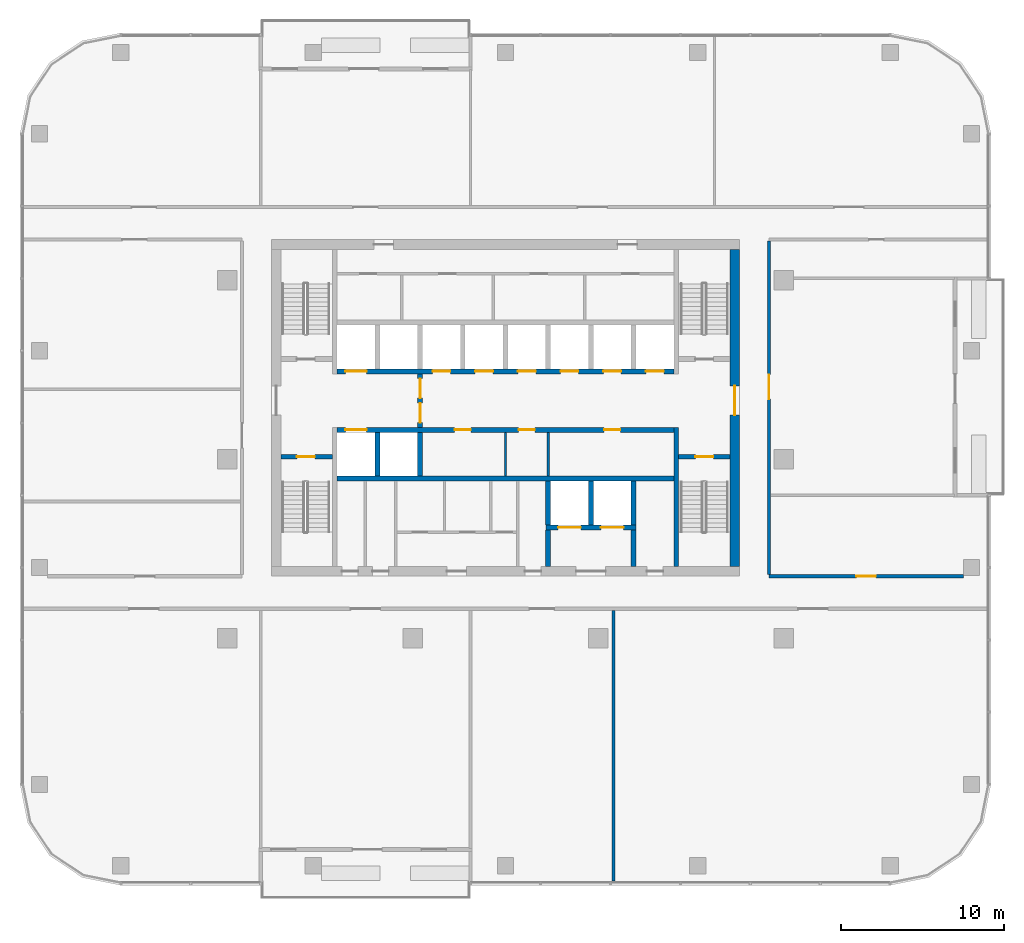
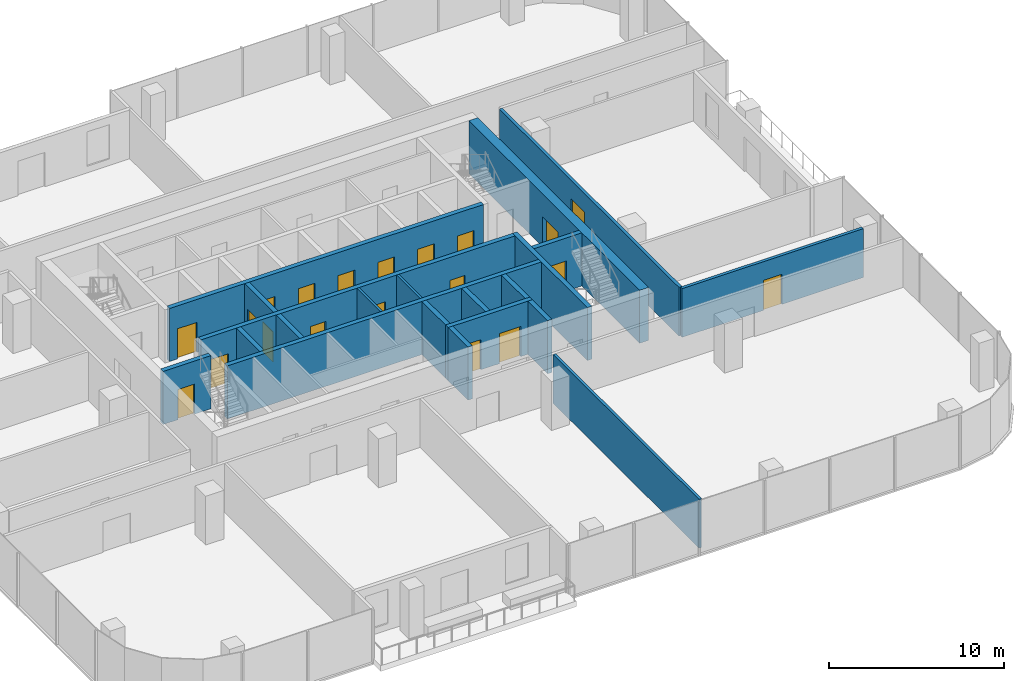
# One storey, part 8 of 13: 21 walls, 20 doors, 20 openings.
"""IFC4 building model written with IfcOpenShell, lengths in metres."""

from ifc_helpers import new_model, si_unit, direction, frame, frame_2d, origin, place, context, subcontext, project, spatial, rectangle, extrude, material, layer, layer_set, type_object, element, fill, save


model = new_model("IFC4")

# Units and contexts
model_context = context("Model", 3, precision=1e-05, world=origin(), true_north=direction((0.0, 1.0)))
body_context = subcontext(model_context, "Body", "Model", "MODEL_VIEW")
ifc_project = project(units=[si_unit("LENGTHUNIT", "METRE"), si_unit("AREAUNIT", "SQUARE_METRE"), si_unit("VOLUMEUNIT", "CUBIC_METRE"), si_unit("PLANEANGLEUNIT", "RADIAN"), si_unit("MASSUNIT", "GRAM", prefix="KILO")], contexts=[model_context])

# Site, building, storey
site_placement = place(None, origin())
site = spatial("IfcSite", under=ifc_project, at=site_placement, CompositionType="ELEMENT")
building_placement = place(site_placement, origin())
building = spatial("IfcBuilding", under=site, at=building_placement, Name="Mopane Tessera Tower", CompositionType="ELEMENT")
storey_placement = place(building_placement, frame((0.0, 0.0, 311.39990234375)))
storey = spatial("IfcBuildingStorey", under=building, at=storey_placement, Name="L68", CompositionType="ELEMENT", Elevation=311.39990234375)

# Walls
ifc_material_1 = material(Name="Fire-rated gypsum board partition")
ifc_layer_1 = layer(ifc_material_1, 0.14990234375)
ifc_layer_set_1 = layer_set([ifc_layer_1], Name="Fire-rated gypsum board partition")
wall_type_1 = type_object("IfcWallType", Name="Core room partition 150 mm", PredefinedType="PARTITIONING", material=ifc_layer_set_1)
for number, where, z_axis, x_axis, name in (
    (1, (0.0, -1.050048828125, 0.0), (0.0, 0.0, 1.0), (0.0, 1.0, 0.0), "L68 Room partition"),
    (2, (2.625, -1.050048828125, 0.0), (0.0, 0.0, 1.0), (0.0, 1.0, 0.0), "L68 Room partition"),
):
    element("IfcWall", number, at=place(storey_placement, frame(where, z_axis=z_axis, x_axis=x_axis)), inside=storey, type_object=wall_type_1, Name=name, PredefinedType="PARTITIONING", context=body_context, shape_type="SweptSolid", body=[
        extrude(rectangle(XDim=2.699951171875, YDim=0.14990234375, at=frame_2d((1.35009765625, 0.0))), origin(), (0.0, 0.0, 1.0), 3.7001953125),
    ])

# Wall, opening, door
ifc_material_2 = material(Name="Concrete C70/85", Category="concrete")
ifc_layer_2 = layer(ifc_material_2, 0.60009765625)
ifc_layer_set_2 = layer_set([ifc_layer_2], Name="Concrete C70/85")
wall_type_2 = type_object("IfcWallType", Name="Core shear wall 600 mm", PredefinedType="SHEAR", material=ifc_layer_set_2)
wall_1_placement = place(storey_placement, frame((14.10009765625, -6.60009765625, 0.0), z_axis=(0.0, 0.0, 1.0), x_axis=(0.0, 1.0, 0.0)))
wall_1 = element("IfcWall", 3, at=wall_1_placement, inside=storey, type_object=wall_type_2, Name="L68 Core wall east", PredefinedType="SHEAR", context=body_context, shape_type="SweptSolid", body=[
    extrude(rectangle(XDim=19.5, YDim=0.60009765625, at=frame_2d((9.75, 0.0))), origin(), (0.0, 0.0, 1.0), 3.7001953125),
])
opening_1_placement = place(wall_1_placement, frame((9.300048828125, 0.0, 0.0)))
opening_1 = element("IfcOpeningElement", 4, at=opening_1_placement, cuts=wall_1, Name="Opening SD2", PredefinedType="OPENING", context=body_context, shape_type="SweptSolid", body=[
    extrude(rectangle(XDim=1.800048828125, YDim=2.10009765625, at=frame_2d((0.89990234375, 1.050048828125))), frame((0.0, 0.31201171875, 0.0), z_axis=(0.0, -1.0, 0.0), x_axis=(1.0, 0.0, 0.0)), (0.0, 0.0, 1.0), 0.6240234375),
])
ifc_material_3 = material(Name="Steel fire door", Category="steel")
door_type_1 = type_object("IfcDoorType", Name="Core entrance double door 1800 x 2100", OperationType="DOUBLE_DOOR_SINGLE_SWING", PredefinedType="DOOR", material=ifc_material_3)
door_1_placement = place(opening_1_placement, origin())
door_1 = element("IfcDoor", 5, at=door_1_placement, inside=storey, type_object=door_type_1, Name="L68 Core entrance door east", OperationType="DOUBLE_DOOR_SINGLE_SWING", OverallHeight=2.10009765625, OverallWidth=1.800048828125, PredefinedType="DOOR", context=body_context, shape_type="SweptSolid", body=[
    extrude(rectangle(XDim=1.800048828125, YDim=2.10009765625, at=frame_2d((0.89990234375, 1.050048828125))), frame((0.0, 0.02490234375, 0.0), z_axis=(0.0, -1.0, 0.0), x_axis=(1.0, 0.0, 0.0)), (0.0, 0.0, 1.0), 0.050048828125),
])
fill(opening_1, door_1)

# Walls
ifc_material_4 = material(Name="Concrete C60/75", Category="concrete")
ifc_layer_3 = layer(ifc_material_4, 0.300048828125)
ifc_layer_set_3 = layer_set([ifc_layer_3], Name="Concrete C60/75")
wall_type_3 = type_object("IfcWallType", Name="Core spine wall 300 mm", PredefinedType="SHEAR", material=ifc_layer_set_3)
wall_2_placement = place(storey_placement, frame((10.5, -6.60009765625, 0.0), z_axis=(0.0, 0.0, 1.0), x_axis=(0.0, 1.0, 0.0)))
element("IfcWall", 6, at=wall_2_placement, inside=storey, type_object=wall_type_3, Name="L68 Core spine wall", PredefinedType="SHEAR", context=body_context, shape_type="SweptSolid", body=[
    extrude(rectangle(XDim=8.550048828125, YDim=0.300048828125, at=frame_2d((4.27490234375, 0.0))), origin(), (0.0, 0.0, 1.0), 3.7001953125),
])
ifc_material_5 = material(Name="Gypsum board on staggered steel studs, double layer each face, acoustic mineral wool infill", Category="steel")
ifc_layer_4 = layer(ifc_material_5, 0.175048828125)
ifc_layer_set_4 = layer_set([ifc_layer_4], Name="Gypsum board on staggered steel studs, double layer each face, acoustic mineral wool infill")
wall_type_4 = type_object("IfcWallType", Name="Gypsum board acoustic partition 175, rated EI 60", PredefinedType="PARTITIONING", material=ifc_layer_set_4)
wall_3_placement = place(storey_placement, frame((6.6298828125, -25.949951171875, 0.0), z_axis=(0.0, 0.0, 1.0), x_axis=(0.0, 1.0, 0.0)))
element("IfcWall", 7, at=wall_3_placement, inside=storey, type_object=wall_type_4, Name="Partition L68:015", PredefinedType="PARTITIONING", context=body_context, shape_type="SweptSolid", body=[
    extrude(rectangle(XDim=16.64990234375, YDim=0.175048828125, at=frame_2d((8.324951171875, 0.0))), origin(), (0.0, 0.0, 1.0), 3.400146484375),
])

# Wall, opening, door
ifc_material_6 = material(Name="Gypsum board on steel studs, two layers each face, mineral wool infill", Category="steel")
ifc_layer_5 = layer(ifc_material_6, 0.199951171875)
ifc_layer_set_5 = layer_set([ifc_layer_5], Name="Gypsum board on steel studs, two layers each face, mineral wool infill")
wall_type_5 = type_object("IfcWallType", Name="Gypsum board corridor wall 200, rated EI 60", PredefinedType="PARTITIONING", material=ifc_layer_set_5)
wall_4_placement = place(storey_placement, frame((16.199951171875, -7.199951171875, 0.0), z_axis=(0.0, 0.0, 1.0), x_axis=(1.0, 0.0, 0.0)))
wall_4 = element("IfcWall", 8, at=wall_4_placement, inside=storey, type_object=wall_type_5, Name="Partition L68:002", PredefinedType="PARTITIONING", context=body_context, shape_type="SweptSolid", body=[
    extrude(rectangle(XDim=11.949951171875, YDim=0.199951171875, at=frame_2d((5.97509765625, 0.0))), origin(), (0.0, 0.0, 1.0), 3.400146484375),
])
opening_2_placement = place(wall_4_placement, frame((5.375, 0.0, 0.0)))
opening_2 = element("IfcOpeningElement", 9, at=opening_2_placement, cuts=wall_4, Name="Opening L68-14", PredefinedType="OPENING", context=body_context, shape_type="SweptSolid", body=[
    extrude(rectangle(XDim=1.199951171875, YDim=2.10009765625, at=frame_2d((0.60009765625, 1.050048828125))), frame((0.0, 0.112060546875, 0.0), z_axis=(0.0, -1.0, 0.0), x_axis=(1.0, 0.0, 0.0)), (0.0, 0.0, 1.0), 0.223876953125),
])
ifc_material_7 = material(Name="Timber veneered steel-framed fire door", Category="steel")
door_type_2 = type_object("IfcDoorType", Name="Fire door FD60 1200 x 2100", OperationType="SINGLE_SWING_LEFT", PredefinedType="DOOR", material=ifc_material_7)
door_2_placement = place(opening_2_placement, origin())
door_2 = element("IfcDoor", 10, at=door_2_placement, inside=storey, type_object=door_type_2, Name="Door L68-14", ObjectType="D15A", OperationType="SINGLE_SWING_LEFT", OverallHeight=2.10009765625, OverallWidth=1.199951171875, PredefinedType="DOOR", context=body_context, shape_type="SweptSolid", body=[
    extrude(rectangle(XDim=1.199951171875, YDim=2.10009765625, at=frame_2d((0.60009765625, 1.050048828125))), frame((0.0, 0.02490234375, 0.0), z_axis=(0.0, -1.0, 0.0), x_axis=(1.0, 0.0, 0.0)), (0.0, 0.0, 1.0), 0.050048828125),
])
fill(opening_2, door_2)

wall_5_placement = place(storey_placement, frame((16.199951171875, -7.10009765625, 0.0), z_axis=(0.0, 0.0, 1.0), x_axis=(0.0, 1.0, 0.0)))
wall_5 = element("IfcWall", 11, at=wall_5_placement, inside=storey, type_object=wall_type_5, Name="Partition L68:017", PredefinedType="PARTITIONING", context=body_context, shape_type="SweptSolid", body=[
    extrude(rectangle(XDim=20.5, YDim=0.199951171875, at=frame_2d((10.25, 0.0))), origin(), (0.0, 0.0, 1.0), 3.400146484375),
])
opening_3_placement = place(wall_5_placement, frame((10.794921875, 0.0, 0.0)))
opening_3 = element("IfcOpeningElement", 12, at=opening_3_placement, cuts=wall_5, Name="Opening L68-05", PredefinedType="OPENING", context=body_context, shape_type="SweptSolid", body=[
    extrude(rectangle(XDim=1.5, YDim=2.10009765625, at=frame_2d((0.75, 1.050048828125))), frame((0.0, 0.112060546875, 0.0), z_axis=(0.0, -1.0, 0.0), x_axis=(1.0, 0.0, 0.0)), (0.0, 0.0, 1.0), 0.223876953125),
])
ifc_material_8 = material(Name="Timber veneered steel-framed fire door", Category="steel")
door_type_3 = type_object("IfcDoorType", Name="Fire door pair FD60 1500 x 2100", OperationType="DOUBLE_DOOR_SINGLE_SWING", PredefinedType="DOOR", material=ifc_material_8)
door_3_placement = place(opening_3_placement, origin())
door_3 = element("IfcDoor", 13, at=door_3_placement, inside=storey, type_object=door_type_3, Name="Door L68-05", ObjectType="D17A", OperationType="DOUBLE_DOOR_SINGLE_SWING", OverallHeight=2.10009765625, OverallWidth=1.5, PredefinedType="DOOR", context=body_context, shape_type="SweptSolid", body=[
    extrude(rectangle(XDim=1.5, YDim=2.10009765625, at=frame_2d((0.75, 1.050048828125))), frame((0.0, 0.02490234375, 0.0), z_axis=(0.0, -1.0, 0.0), x_axis=(1.0, 0.0, 0.0)), (0.0, 0.0, 1.0), 0.050048828125),
])
fill(opening_3, door_3)

ifc_material_9 = material(Name="Concrete C50/60", Category="concrete")
ifc_layer_6 = layer(ifc_material_9, 0.300048828125)
ifc_layer_set_6 = layer_set([ifc_layer_6], Name="Concrete C50/60")
wall_type_6 = type_object("IfcWallType", Name="Lift and stair shaft wall 300 mm", PredefinedType="SOLIDWALL", material=ifc_layer_set_6)
wall_6_placement = place(storey_placement, frame((-13.800048828125, 0.14990234375, 0.0), z_axis=(0.0, 0.0, 1.0), x_axis=(1.0, 0.0, 0.0)))
wall_6 = element("IfcWall", 14, at=wall_6_placement, inside=storey, type_object=wall_type_6, Name="L68 Stair enclosure wall", PredefinedType="SOLIDWALL", context=body_context, shape_type="SweptSolid", body=[
    extrude(rectangle(XDim=3.150146484375, YDim=0.300048828125, at=frame_2d((1.5751953125, 0.0))), origin(), (0.0, 0.0, 1.0), 3.7001953125),
])
opening_4_placement = place(wall_6_placement, frame((0.97509765625, 0.0, 0.0)))
opening_4 = element("IfcOpeningElement", 15, at=opening_4_placement, cuts=wall_6, Name="Opening SD1", PredefinedType="OPENING", context=body_context, shape_type="SweptSolid", body=[
    extrude(rectangle(XDim=1.10009765625, YDim=2.10009765625, at=frame_2d((0.550048828125, 1.050048828125))), frame((0.0, 0.162109375, 0.0), z_axis=(0.0, -1.0, 0.0), x_axis=(1.0, 0.0, 0.0)), (0.0, 0.0, 1.0), 0.323974609375),
])
ifc_material_10 = material(Name="Steel fire door", Category="steel")
door_type_4 = type_object("IfcDoorType", Name="Stair fire door 1100 x 2100", OperationType="SINGLE_SWING_LEFT", PredefinedType="DOOR", material=ifc_material_10)
door_4_placement = place(opening_4_placement, origin())
door_4 = element("IfcDoor", 16, at=door_4_placement, inside=storey, type_object=door_type_4, Name="L68 Stair door ST1", OperationType="SINGLE_SWING_LEFT", OverallHeight=2.10009765625, OverallWidth=1.10009765625, PredefinedType="DOOR", context=body_context, shape_type="SweptSolid", body=[
    extrude(rectangle(XDim=1.10009765625, YDim=2.10009765625, at=frame_2d((0.550048828125, 1.050048828125))), frame((0.0, 0.02490234375, 0.0), z_axis=(0.0, -1.0, 0.0), x_axis=(1.0, 0.0, 0.0)), (0.0, 0.0, 1.0), 0.050048828125),
])
fill(opening_4, door_4)

wall_7_placement = place(storey_placement, frame((10.64990234375, 0.14990234375, 0.0), z_axis=(0.0, 0.0, 1.0), x_axis=(1.0, 0.0, 0.0)))
wall_7 = element("IfcWall", 17, at=wall_7_placement, inside=storey, type_object=wall_type_6, Name="L68 Stair enclosure wall", PredefinedType="SOLIDWALL", context=body_context, shape_type="SweptSolid", body=[
    extrude(rectangle(XDim=3.150146484375, YDim=0.300048828125, at=frame_2d((1.5751953125, 0.0))), origin(), (0.0, 0.0, 1.0), 3.7001953125),
])
opening_5_placement = place(wall_7_placement, frame((1.02490234375, 0.0, 0.0)))
opening_5 = element("IfcOpeningElement", 18, at=opening_5_placement, cuts=wall_7, Name="Opening SD1", PredefinedType="OPENING", context=body_context, shape_type="SweptSolid", body=[
    extrude(rectangle(XDim=1.10009765625, YDim=2.10009765625, at=frame_2d((0.550048828125, 1.050048828125))), frame((0.0, 0.162109375, 0.0), z_axis=(0.0, -1.0, 0.0), x_axis=(1.0, 0.0, 0.0)), (0.0, 0.0, 1.0), 0.323974609375),
])
door_5_placement = place(opening_5_placement, origin())
door_5 = element("IfcDoor", 19, at=door_5_placement, inside=storey, type_object=door_type_4, Name="L68 Stair door ST3", OperationType="SINGLE_SWING_RIGHT", OverallHeight=2.10009765625, OverallWidth=1.10009765625, PredefinedType="DOOR", context=body_context, shape_type="SweptSolid", body=[
    extrude(rectangle(XDim=1.10009765625, YDim=2.10009765625, at=frame_2d((0.550048828125, 1.050048828125))), frame((0.0, 0.02490234375, 0.0), z_axis=(0.0, -1.0, 0.0), x_axis=(1.0, 0.0, 0.0)), (0.0, 0.0, 1.0), 0.050048828125),
])
fill(opening_5, door_5)

# Wall
wall_8_placement = place(storey_placement, frame((-10.35009765625, -1.199951171875, 0.0), z_axis=(0.0, 0.0, 1.0), x_axis=(1.0, 0.0, 0.0)))
element("IfcWall", 20, at=wall_8_placement, inside=storey, type_object=wall_type_6, Name="L68 Lift shaft rear wall", PredefinedType="SOLIDWALL", context=body_context, shape_type="SweptSolid", body=[
    extrude(rectangle(XDim=20.7001953125, YDim=0.300048828125, at=frame_2d((10.35009765625, 0.0))), origin(), (0.0, 0.0, 1.0), 3.7001953125),
])

# Wall, openings, doors
wall_9_placement = place(storey_placement, frame((-10.35009765625, 1.800048828125, 0.0), z_axis=(0.0, 0.0, 1.0), x_axis=(1.0, 0.0, 0.0)))
wall_9 = element("IfcWall", 21, at=wall_9_placement, inside=storey, type_object=wall_type_6, Name="L68 Lift shaft front wall", PredefinedType="SOLIDWALL", context=body_context, shape_type="SweptSolid", body=[
    extrude(rectangle(XDim=20.7001953125, YDim=0.300048828125, at=frame_2d((10.35009765625, 0.0))), origin(), (0.0, 0.0, 1.0), 3.7001953125),
])
opening_6_placement = place(wall_9_placement, frame((0.512451171875, 0.0, 0.0)))
opening_6 = element("IfcOpeningElement", 22, at=opening_6_placement, cuts=wall_9, Name="Opening LD2", PredefinedType="OPENING", context=body_context, shape_type="SweptSolid", body=[
    extrude(rectangle(XDim=1.300048828125, YDim=2.10009765625, at=frame_2d((0.64990234375, 1.050048828125))), frame((0.0, 0.162109375, 0.0), z_axis=(0.0, -1.0, 0.0), x_axis=(1.0, 0.0, 0.0)), (0.0, 0.0, 1.0), 0.323974609375),
])
opening_7_placement = place(wall_9_placement, frame((7.22509765625, 0.0, 0.0)))
opening_7 = element("IfcOpeningElement", 23, at=opening_7_placement, cuts=wall_9, Name="Opening RD1", PredefinedType="OPENING", context=body_context, shape_type="SweptSolid", body=[
    extrude(rectangle(XDim=1.0, YDim=2.10009765625, at=frame_2d((0.5, 1.050048828125))), frame((0.0, 0.162109375, 0.0), z_axis=(0.0, -1.0, 0.0), x_axis=(1.0, 0.0, 0.0)), (0.0, 0.0, 1.0), 0.323974609375),
])
opening_8_placement = place(wall_9_placement, frame((11.16259765625, 0.0, 0.0)))
opening_8 = element("IfcOpeningElement", 24, at=opening_8_placement, cuts=wall_9, Name="Opening RD1", PredefinedType="OPENING", context=body_context, shape_type="SweptSolid", body=[
    extrude(rectangle(XDim=1.0, YDim=2.10009765625, at=frame_2d((0.5, 1.050048828125))), frame((0.0, 0.162109375, 0.0), z_axis=(0.0, -1.0, 0.0), x_axis=(1.0, 0.0, 0.0)), (0.0, 0.0, 1.0), 0.323974609375),
])
opening_9_placement = place(wall_9_placement, frame((16.41259765625, 0.0, 0.0)))
opening_9 = element("IfcOpeningElement", 25, at=opening_9_placement, cuts=wall_9, Name="Opening RD1", PredefinedType="OPENING", context=body_context, shape_type="SweptSolid", body=[
    extrude(rectangle(XDim=1.0, YDim=2.10009765625, at=frame_2d((0.5, 1.050048828125))), frame((0.0, 0.162109375, 0.0), z_axis=(0.0, -1.0, 0.0), x_axis=(1.0, 0.0, 0.0)), (0.0, 0.0, 1.0), 0.323974609375),
])
ifc_material_11 = material(Name="Timber door", Category="wood")
door_type_5 = type_object("IfcDoorType", Name="Core room door 1000 x 2100", OperationType="SINGLE_SWING_LEFT", PredefinedType="DOOR", material=ifc_material_11)
door_6_placement = place(opening_7_placement, origin())
door_6 = element("IfcDoor", 26, at=door_6_placement, inside=storey, type_object=door_type_5, Name="L68 Room door", OperationType="SINGLE_SWING_LEFT", OverallHeight=2.10009765625, OverallWidth=1.0, PredefinedType="DOOR", context=body_context, shape_type="SweptSolid", body=[
    extrude(rectangle(XDim=1.0, YDim=2.10009765625, at=frame_2d((0.5, 1.050048828125))), frame((0.0, 0.02490234375, 0.0), z_axis=(0.0, -1.0, 0.0), x_axis=(1.0, 0.0, 0.0)), (0.0, 0.0, 1.0), 0.050048828125),
])
fill(opening_7, door_6)
door_7_placement = place(opening_8_placement, origin())
door_7 = element("IfcDoor", 27, at=door_7_placement, inside=storey, type_object=door_type_5, Name="L68 Room door", OperationType="SINGLE_SWING_LEFT", OverallHeight=2.10009765625, OverallWidth=1.0, PredefinedType="DOOR", context=body_context, shape_type="SweptSolid", body=[
    extrude(rectangle(XDim=1.0, YDim=2.10009765625, at=frame_2d((0.5, 1.050048828125))), frame((0.0, 0.02490234375, 0.0), z_axis=(0.0, -1.0, 0.0), x_axis=(1.0, 0.0, 0.0)), (0.0, 0.0, 1.0), 0.050048828125),
])
fill(opening_8, door_7)
door_8_placement = place(opening_9_placement, origin())
door_8 = element("IfcDoor", 28, at=door_8_placement, inside=storey, type_object=door_type_5, Name="L68 Room door", OperationType="SINGLE_SWING_LEFT", OverallHeight=2.10009765625, OverallWidth=1.0, PredefinedType="DOOR", context=body_context, shape_type="SweptSolid", body=[
    extrude(rectangle(XDim=1.0, YDim=2.10009765625, at=frame_2d((0.5, 1.050048828125))), frame((0.0, 0.02490234375, 0.0), z_axis=(0.0, -1.0, 0.0), x_axis=(1.0, 0.0, 0.0)), (0.0, 0.0, 1.0), 0.050048828125),
])
fill(opening_9, door_8)
ifc_material_12 = material(Name="Stainless steel sliding door", Category="steel")
door_type_6 = type_object("IfcDoorType", Name="Fire-fighting lift landing door 1300 x 2100", OperationType="DOUBLE_DOOR_SLIDING", PredefinedType="DOOR", material=ifc_material_12)
door_9_placement = place(opening_6_placement, origin())
door_9 = element("IfcDoor", 29, at=door_9_placement, inside=storey, type_object=door_type_6, Name="L68 Lift landing door FF1", OperationType="DOUBLE_DOOR_SLIDING", OverallHeight=2.10009765625, OverallWidth=1.300048828125, PredefinedType="DOOR", context=body_context, shape_type="SweptSolid", body=[
    extrude(rectangle(XDim=1.300048828125, YDim=2.10009765625, at=frame_2d((0.64990234375, 1.050048828125))), frame((0.0, 0.02490234375, 0.0), z_axis=(0.0, -1.0, 0.0), x_axis=(1.0, 0.0, 0.0)), (0.0, 0.0, 1.0), 0.050048828125),
])
fill(opening_6, door_9)

wall_10_placement = place(storey_placement, frame((-10.35009765625, 5.39990234375, 0.0), z_axis=(0.0, 0.0, 1.0), x_axis=(1.0, 0.0, 0.0)))
wall_10 = element("IfcWall", 30, at=wall_10_placement, inside=storey, type_object=wall_type_6, Name="L68 Lift shaft front wall", PredefinedType="SOLIDWALL", context=body_context, shape_type="SweptSolid", body=[
    extrude(rectangle(XDim=20.7001953125, YDim=0.300048828125, at=frame_2d((10.35009765625, 0.0))), origin(), (0.0, 0.0, 1.0), 3.7001953125),
])
opening_10_placement = place(wall_10_placement, frame((0.512451171875, 0.0, 0.0)))
opening_10 = element("IfcOpeningElement", 31, at=opening_10_placement, cuts=wall_10, Name="Opening LD2", PredefinedType="OPENING", context=body_context, shape_type="SweptSolid", body=[
    extrude(rectangle(XDim=1.300048828125, YDim=2.10009765625, at=frame_2d((0.64990234375, 1.050048828125))), frame((0.0, 0.162109375, 0.0), z_axis=(0.0, -1.0, 0.0), x_axis=(1.0, 0.0, 0.0)), (0.0, 0.0, 1.0), 0.323974609375),
])
opening_11_placement = place(wall_10_placement, frame((5.862548828125, 0.0, 0.0)))
opening_11 = element("IfcOpeningElement", 32, at=opening_11_placement, cuts=wall_10, Name="Opening LD", PredefinedType="OPENING", context=body_context, shape_type="SweptSolid", body=[
    extrude(rectangle(XDim=1.10009765625, YDim=2.10009765625, at=frame_2d((0.550048828125, 1.050048828125))), frame((0.0, 0.162109375, 0.0), z_axis=(0.0, -1.0, 0.0), x_axis=(1.0, 0.0, 0.0)), (0.0, 0.0, 1.0), 0.323974609375),
])
opening_12_placement = place(wall_10_placement, frame((8.487548828125, 0.0, 0.0)))
opening_12 = element("IfcOpeningElement", 33, at=opening_12_placement, cuts=wall_10, Name="Opening LD", PredefinedType="OPENING", context=body_context, shape_type="SweptSolid", body=[
    extrude(rectangle(XDim=1.10009765625, YDim=2.10009765625, at=frame_2d((0.550048828125, 1.050048828125))), frame((0.0, 0.162109375, 0.0), z_axis=(0.0, -1.0, 0.0), x_axis=(1.0, 0.0, 0.0)), (0.0, 0.0, 1.0), 0.323974609375),
])
opening_13_placement = place(wall_10_placement, frame((11.112548828125, 0.0, 0.0)))
opening_13 = element("IfcOpeningElement", 34, at=opening_13_placement, cuts=wall_10, Name="Opening LD", PredefinedType="OPENING", context=body_context, shape_type="SweptSolid", body=[
    extrude(rectangle(XDim=1.10009765625, YDim=2.10009765625, at=frame_2d((0.550048828125, 1.050048828125))), frame((0.0, 0.162109375, 0.0), z_axis=(0.0, -1.0, 0.0), x_axis=(1.0, 0.0, 0.0)), (0.0, 0.0, 1.0), 0.323974609375),
])
opening_14_placement = place(wall_10_placement, frame((13.737548828125, 0.0, 0.0)))
opening_14 = element("IfcOpeningElement", 35, at=opening_14_placement, cuts=wall_10, Name="Opening LD", PredefinedType="OPENING", context=body_context, shape_type="SweptSolid", body=[
    extrude(rectangle(XDim=1.10009765625, YDim=2.10009765625, at=frame_2d((0.550048828125, 1.050048828125))), frame((0.0, 0.162109375, 0.0), z_axis=(0.0, -1.0, 0.0), x_axis=(1.0, 0.0, 0.0)), (0.0, 0.0, 1.0), 0.323974609375),
])
opening_15_placement = place(wall_10_placement, frame((16.362548828125, 0.0, 0.0)))
opening_15 = element("IfcOpeningElement", 36, at=opening_15_placement, cuts=wall_10, Name="Opening LD", PredefinedType="OPENING", context=body_context, shape_type="SweptSolid", body=[
    extrude(rectangle(XDim=1.10009765625, YDim=2.10009765625, at=frame_2d((0.550048828125, 1.050048828125))), frame((0.0, 0.162109375, 0.0), z_axis=(0.0, -1.0, 0.0), x_axis=(1.0, 0.0, 0.0)), (0.0, 0.0, 1.0), 0.323974609375),
])
opening_16_placement = place(wall_10_placement, frame((18.987548828125, 0.0, 0.0)))
opening_16 = element("IfcOpeningElement", 37, at=opening_16_placement, cuts=wall_10, Name="Opening LD", PredefinedType="OPENING", context=body_context, shape_type="SweptSolid", body=[
    extrude(rectangle(XDim=1.10009765625, YDim=2.10009765625, at=frame_2d((0.550048828125, 1.050048828125))), frame((0.0, 0.162109375, 0.0), z_axis=(0.0, -1.0, 0.0), x_axis=(1.0, 0.0, 0.0)), (0.0, 0.0, 1.0), 0.323974609375),
])
door_10_placement = place(opening_10_placement, origin())
door_10 = element("IfcDoor", 38, at=door_10_placement, inside=storey, type_object=door_type_6, Name="L68 Lift landing door FF2", OperationType="DOUBLE_DOOR_SLIDING", OverallHeight=2.10009765625, OverallWidth=1.300048828125, PredefinedType="DOOR", context=body_context, shape_type="SweptSolid", body=[
    extrude(rectangle(XDim=1.300048828125, YDim=2.10009765625, at=frame_2d((0.64990234375, 1.050048828125))), frame((0.0, 0.02490234375, 0.0), z_axis=(0.0, -1.0, 0.0), x_axis=(1.0, 0.0, 0.0)), (0.0, 0.0, 1.0), 0.050048828125),
])
fill(opening_10, door_10)
ifc_material_13 = material(Name="Stainless steel sliding door", Category="steel")
door_type_7 = type_object("IfcDoorType", Name="Lift landing door 1100 x 2100", OperationType="DOUBLE_DOOR_SLIDING", PredefinedType="DOOR", material=ifc_material_13)
door_11_placement = place(opening_11_placement, origin())
door_11 = element("IfcDoor", 39, at=door_11_placement, inside=storey, type_object=door_type_7, Name="L68 Lift landing door HR1", OperationType="DOUBLE_DOOR_SLIDING", OverallHeight=2.10009765625, OverallWidth=1.10009765625, PredefinedType="DOOR", context=body_context, shape_type="SweptSolid", body=[
    extrude(rectangle(XDim=1.10009765625, YDim=2.10009765625, at=frame_2d((0.550048828125, 1.050048828125))), frame((0.0, 0.02490234375, 0.0), z_axis=(0.0, -1.0, 0.0), x_axis=(1.0, 0.0, 0.0)), (0.0, 0.0, 1.0), 0.050048828125),
])
fill(opening_11, door_11)
door_12_placement = place(opening_12_placement, origin())
door_12 = element("IfcDoor", 40, at=door_12_placement, inside=storey, type_object=door_type_7, Name="L68 Lift landing door HR2", OperationType="DOUBLE_DOOR_SLIDING", OverallHeight=2.10009765625, OverallWidth=1.10009765625, PredefinedType="DOOR", context=body_context, shape_type="SweptSolid", body=[
    extrude(rectangle(XDim=1.10009765625, YDim=2.10009765625, at=frame_2d((0.550048828125, 1.050048828125))), frame((0.0, 0.02490234375, 0.0), z_axis=(0.0, -1.0, 0.0), x_axis=(1.0, 0.0, 0.0)), (0.0, 0.0, 1.0), 0.050048828125),
])
fill(opening_12, door_12)
door_13_placement = place(opening_13_placement, origin())
door_13 = element("IfcDoor", 41, at=door_13_placement, inside=storey, type_object=door_type_7, Name="L68 Lift landing door HR3", OperationType="DOUBLE_DOOR_SLIDING", OverallHeight=2.10009765625, OverallWidth=1.10009765625, PredefinedType="DOOR", context=body_context, shape_type="SweptSolid", body=[
    extrude(rectangle(XDim=1.10009765625, YDim=2.10009765625, at=frame_2d((0.550048828125, 1.050048828125))), frame((0.0, 0.02490234375, 0.0), z_axis=(0.0, -1.0, 0.0), x_axis=(1.0, 0.0, 0.0)), (0.0, 0.0, 1.0), 0.050048828125),
])
fill(opening_13, door_13)
door_14_placement = place(opening_14_placement, origin())
door_14 = element("IfcDoor", 42, at=door_14_placement, inside=storey, type_object=door_type_7, Name="L68 Lift landing door HR4", OperationType="DOUBLE_DOOR_SLIDING", OverallHeight=2.10009765625, OverallWidth=1.10009765625, PredefinedType="DOOR", context=body_context, shape_type="SweptSolid", body=[
    extrude(rectangle(XDim=1.10009765625, YDim=2.10009765625, at=frame_2d((0.550048828125, 1.050048828125))), frame((0.0, 0.02490234375, 0.0), z_axis=(0.0, -1.0, 0.0), x_axis=(1.0, 0.0, 0.0)), (0.0, 0.0, 1.0), 0.050048828125),
])
fill(opening_14, door_14)
door_15_placement = place(opening_15_placement, origin())
door_15 = element("IfcDoor", 43, at=door_15_placement, inside=storey, type_object=door_type_7, Name="L68 Lift landing door HR5", OperationType="DOUBLE_DOOR_SLIDING", OverallHeight=2.10009765625, OverallWidth=1.10009765625, PredefinedType="DOOR", context=body_context, shape_type="SweptSolid", body=[
    extrude(rectangle(XDim=1.10009765625, YDim=2.10009765625, at=frame_2d((0.550048828125, 1.050048828125))), frame((0.0, 0.02490234375, 0.0), z_axis=(0.0, -1.0, 0.0), x_axis=(1.0, 0.0, 0.0)), (0.0, 0.0, 1.0), 0.050048828125),
])
fill(opening_15, door_15)
door_16_placement = place(opening_16_placement, origin())
door_16 = element("IfcDoor", 44, at=door_16_placement, inside=storey, type_object=door_type_7, Name="L68 Lift landing door HR6", OperationType="DOUBLE_DOOR_SLIDING", OverallHeight=2.10009765625, OverallWidth=1.10009765625, PredefinedType="DOOR", context=body_context, shape_type="SweptSolid", body=[
    extrude(rectangle(XDim=1.10009765625, YDim=2.10009765625, at=frame_2d((0.550048828125, 1.050048828125))), frame((0.0, 0.02490234375, 0.0), z_axis=(0.0, -1.0, 0.0), x_axis=(1.0, 0.0, 0.0)), (0.0, 0.0, 1.0), 0.050048828125),
])
fill(opening_16, door_16)

# Walls
for number, where, z_axis, x_axis, name in (
    (45, (-7.875, -1.050048828125, 0.0), (0.0, 0.0, 1.0), (0.0, 1.0, 0.0), "L68 Lift shaft wall"),
    (46, (-5.25, -1.050048828125, 0.0), (0.0, 0.0, 1.0), (0.0, 1.0, 0.0), "L68 Lift shaft wall"),
):
    element("IfcWall", number, at=place(storey_placement, frame(where, z_axis=z_axis, x_axis=x_axis)), inside=storey, type_object=wall_type_6, Name=name, PredefinedType="SOLIDWALL", context=body_context, shape_type="SweptSolid", body=[
        extrude(rectangle(XDim=2.699951171875, YDim=0.300048828125, at=frame_2d((1.35009765625, 0.0))), origin(), (0.0, 0.0, 1.0), 3.7001953125),
    ])

# Wall, openings, doors
wall_11_placement = place(storey_placement, frame((2.47509765625, -4.199951171875, 0.0), z_axis=(0.0, 0.0, 1.0), x_axis=(1.0, 0.0, 0.0)))
wall_11 = element("IfcWall", 47, at=wall_11_placement, inside=storey, type_object=wall_type_6, Name="L68 Lift shaft front wall", PredefinedType="SOLIDWALL", context=body_context, shape_type="SweptSolid", body=[
    extrude(rectangle(XDim=5.5498046875, YDim=0.300048828125, at=frame_2d((2.77490234375, 0.0))), origin(), (0.0, 0.0, 1.0), 3.7001953125),
])
opening_17_placement = place(wall_11_placement, frame((0.762451171875, 0.0, 0.0)))
opening_17 = element("IfcOpeningElement", 48, at=opening_17_placement, cuts=wall_11, Name="Opening LD3", PredefinedType="OPENING", context=body_context, shape_type="SweptSolid", body=[
    extrude(rectangle(XDim=1.39990234375, YDim=2.10009765625, at=frame_2d((0.699951171875, 1.050048828125))), frame((0.0, 0.162109375, 0.0), z_axis=(0.0, -1.0, 0.0), x_axis=(1.0, 0.0, 0.0)), (0.0, 0.0, 1.0), 0.323974609375),
])
opening_18_placement = place(wall_11_placement, frame((3.387451171875, 0.0, 0.0)))
opening_18 = element("IfcOpeningElement", 49, at=opening_18_placement, cuts=wall_11, Name="Opening LD3", PredefinedType="OPENING", context=body_context, shape_type="SweptSolid", body=[
    extrude(rectangle(XDim=1.39990234375, YDim=2.10009765625, at=frame_2d((0.699951171875, 1.050048828125))), frame((0.0, 0.162109375, 0.0), z_axis=(0.0, -1.0, 0.0), x_axis=(1.0, 0.0, 0.0)), (0.0, 0.0, 1.0), 0.323974609375),
])
ifc_material_14 = material(Name="Stainless steel sliding door", Category="steel")
door_type_8 = type_object("IfcDoorType", Name="Service lift landing door 1400 x 2100", OperationType="DOUBLE_DOOR_SLIDING", PredefinedType="DOOR", material=ifc_material_14)
door_17_placement = place(opening_17_placement, origin())
door_17 = element("IfcDoor", 50, at=door_17_placement, inside=storey, type_object=door_type_8, Name="L68 Lift landing door SV1", OperationType="DOUBLE_DOOR_SLIDING", OverallHeight=2.10009765625, OverallWidth=1.39990234375, PredefinedType="DOOR", context=body_context, shape_type="SweptSolid", body=[
    extrude(rectangle(XDim=1.39990234375, YDim=2.10009765625, at=frame_2d((0.699951171875, 1.050048828125))), frame((0.0, 0.02490234375, 0.0), z_axis=(0.0, -1.0, 0.0), x_axis=(1.0, 0.0, 0.0)), (0.0, 0.0, 1.0), 0.050048828125),
])
fill(opening_17, door_17)
door_18_placement = place(opening_18_placement, origin())
door_18 = element("IfcDoor", 51, at=door_18_placement, inside=storey, type_object=door_type_8, Name="L68 Lift landing door SV2", OperationType="DOUBLE_DOOR_SLIDING", OverallHeight=2.10009765625, OverallWidth=1.39990234375, PredefinedType="DOOR", context=body_context, shape_type="SweptSolid", body=[
    extrude(rectangle(XDim=1.39990234375, YDim=2.10009765625, at=frame_2d((0.699951171875, 1.050048828125))), frame((0.0, 0.02490234375, 0.0), z_axis=(0.0, -1.0, 0.0), x_axis=(1.0, 0.0, 0.0)), (0.0, 0.0, 1.0), 0.050048828125),
])
fill(opening_18, door_18)

# Walls
for number, where, z_axis, x_axis, name in (
    (52, (2.625, -4.050048828125, 0.0), (0.0, 0.0, 1.0), (0.0, 1.0, 0.0), "L68 Lift shaft wall"),
    (53, (5.25, -4.050048828125, 0.0), (0.0, 0.0, 1.0), (0.0, 1.0, 0.0), "L68 Lift shaft wall"),
    (54, (7.875, -4.050048828125, 0.0), (0.0, 0.0, 1.0), (0.0, 1.0, 0.0), "L68 Lift shaft wall"),
):
    element("IfcWall", number, at=place(storey_placement, frame(where, z_axis=z_axis, x_axis=x_axis)), inside=storey, type_object=wall_type_6, Name=name, PredefinedType="SOLIDWALL", context=body_context, shape_type="SweptSolid", body=[
        extrude(rectangle(XDim=2.699951171875, YDim=0.300048828125, at=frame_2d((1.35009765625, 0.0))), origin(), (0.0, 0.0, 1.0), 3.7001953125),
    ])

# Wall, openings, doors
ifc_material_15 = material(Name="Concrete C50/60", Category="concrete")
ifc_layer_7 = layer(ifc_material_15, 0.300048828125)
ifc_layer_set_7 = layer_set([ifc_layer_7], Name="Concrete C50/60")
wall_type_7 = type_object("IfcWallType", Name="Lobby and refuge room wall 300 mm", PredefinedType="SOLIDWALL", material=ifc_layer_set_7)
wall_12_placement = place(storey_placement, frame((-5.25, 1.949951171875, 0.0), z_axis=(0.0, 0.0, 1.0), x_axis=(0.0, 1.0, 0.0)))
wall_12 = element("IfcWall", 55, at=wall_12_placement, inside=storey, type_object=wall_type_7, Name="L68 Fire-fighting lobby wall", PredefinedType="SOLIDWALL", context=body_context, shape_type="SweptSolid", body=[
    extrude(rectangle(XDim=3.300048828125, YDim=0.300048828125, at=frame_2d((1.64990234375, 0.0))), origin(), (0.0, 0.0, 1.0), 3.7001953125),
])
opening_19_placement = place(wall_12_placement, frame((0.300048828125, 0.0, 0.0)))
opening_19 = element("IfcOpeningElement", 56, at=opening_19_placement, cuts=wall_12, Name="Opening SD3", PredefinedType="OPENING", context=body_context, shape_type="SweptSolid", body=[
    extrude(rectangle(XDim=1.199951171875, YDim=2.10009765625, at=frame_2d((0.60009765625, 1.050048828125))), frame((0.0, 0.162109375, 0.0), z_axis=(0.0, -1.0, 0.0), x_axis=(1.0, 0.0, 0.0)), (0.0, 0.0, 1.0), 0.323974609375),
])
opening_20_placement = place(wall_12_placement, frame((1.800048828125, 0.0, 0.0)))
opening_20 = element("IfcOpeningElement", 57, at=opening_20_placement, cuts=wall_12, Name="Opening SD3", PredefinedType="OPENING", context=body_context, shape_type="SweptSolid", body=[
    extrude(rectangle(XDim=1.199951171875, YDim=2.10009765625, at=frame_2d((0.60009765625, 1.050048828125))), frame((0.0, 0.162109375, 0.0), z_axis=(0.0, -1.0, 0.0), x_axis=(1.0, 0.0, 0.0)), (0.0, 0.0, 1.0), 0.323974609375),
])
ifc_material_16 = material(Name="Steel fire door", Category="steel")
door_type_9 = type_object("IfcDoorType", Name="Lobby fire door 1200 x 2100", OperationType="SINGLE_SWING_LEFT", PredefinedType="DOOR", material=ifc_material_16)
door_19_placement = place(opening_19_placement, origin())
door_19 = element("IfcDoor", 58, at=door_19_placement, inside=storey, type_object=door_type_9, Name="L68 Fire-fighting lobby door", OperationType="SINGLE_SWING_LEFT", OverallHeight=2.10009765625, OverallWidth=1.199951171875, PredefinedType="DOOR", context=body_context, shape_type="SweptSolid", body=[
    extrude(rectangle(XDim=1.199951171875, YDim=2.10009765625, at=frame_2d((0.60009765625, 1.050048828125))), frame((0.0, 0.02490234375, 0.0), z_axis=(0.0, -1.0, 0.0), x_axis=(1.0, 0.0, 0.0)), (0.0, 0.0, 1.0), 0.050048828125),
])
fill(opening_19, door_19)
door_20_placement = place(opening_20_placement, origin())
door_20 = element("IfcDoor", 59, at=door_20_placement, inside=storey, type_object=door_type_9, Name="L68 Fire-fighting lobby door", OperationType="SINGLE_SWING_RIGHT", OverallHeight=2.10009765625, OverallWidth=1.199951171875, PredefinedType="DOOR", context=body_context, shape_type="SweptSolid", body=[
    extrude(rectangle(XDim=1.199951171875, YDim=2.10009765625, at=frame_2d((0.60009765625, 1.050048828125))), frame((0.0, 0.02490234375, 0.0), z_axis=(0.0, -1.0, 0.0), x_axis=(1.0, 0.0, 0.0)), (0.0, 0.0, 1.0), 0.050048828125),
])
fill(opening_20, door_20)

# Walls
for number, where, z_axis, x_axis, name in (
    (60, (2.625, -6.60009765625, 0.0), (0.0, 0.0, 1.0), (0.0, 1.0, 0.0), "L68 Service lobby wall"),
    (61, (7.875, -6.60009765625, 0.0), (0.0, 0.0, 1.0), (0.0, 1.0, 0.0), "L68 Service lobby wall"),
):
    element("IfcWall", number, at=place(storey_placement, frame(where, z_axis=z_axis, x_axis=x_axis)), inside=storey, type_object=wall_type_7, Name=name, PredefinedType="SOLIDWALL", context=body_context, shape_type="SweptSolid", body=[
        extrude(rectangle(XDim=2.25, YDim=0.300048828125, at=frame_2d((1.125, 0.0))), origin(), (0.0, 0.0, 1.0), 3.7001953125),
    ])

save(model, "model.ifc")
